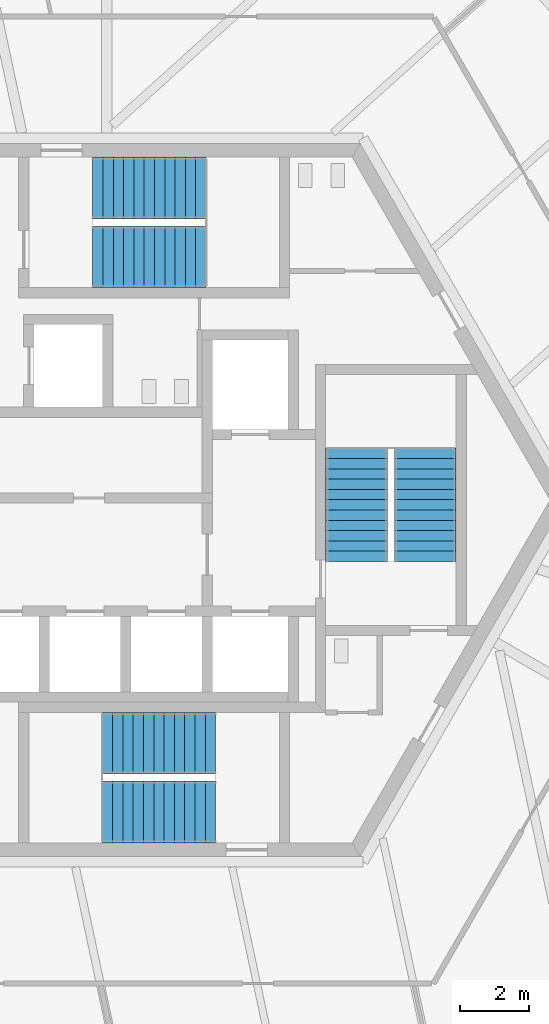
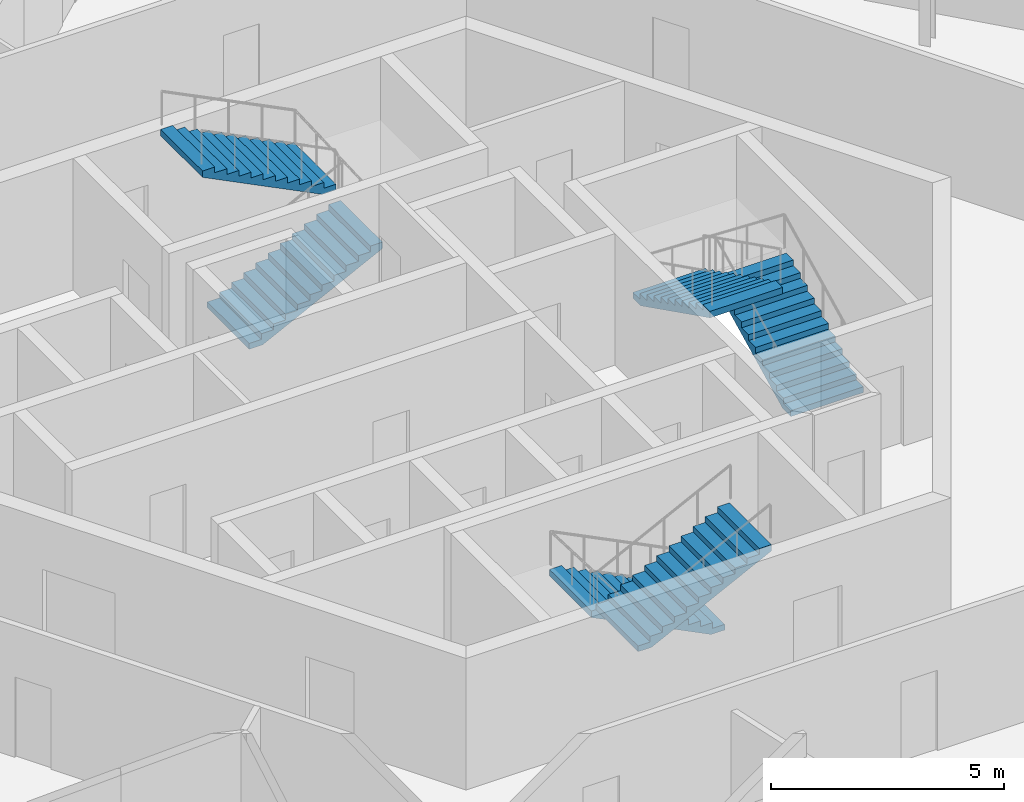
# One storey, part 13 of 17: 6 stair flights, 3 elements without a shape of their own.
"""IFC4 building model written with IfcOpenShell, lengths in metres."""

from ifc_helpers import new_model, si_unit, direction, frame, origin, place, context, subcontext, project, spatial, polyline, outline, extrude, source, transform, mapped, material, type_object, element, aggregate, save


model = new_model("IFC4")

# Units and contexts
model_context = context("Model", 3, precision=1e-05, world=origin(), true_north=direction((0.0, 1.0)))
body_context = subcontext(model_context, "Body", "Model", "MODEL_VIEW")
ifc_project = project(units=[si_unit("LENGTHUNIT", "METRE"), si_unit("AREAUNIT", "SQUARE_METRE"), si_unit("VOLUMEUNIT", "CUBIC_METRE"), si_unit("PLANEANGLEUNIT", "RADIAN"), si_unit("MASSUNIT", "GRAM", prefix="KILO")], contexts=[model_context])

# Site, building, storey
site_placement = place(None, origin())
site = spatial("IfcSite", under=ifc_project, at=site_placement, CompositionType="ELEMENT")
building_placement = place(site_placement, origin())
building = spatial("IfcBuilding", under=site, at=building_placement, Name="Triune Harvest Tower", CompositionType="ELEMENT")
storey_placement = place(building_placement, frame((0.0, 0.0, 273.89990234375)))
storey = spatial("IfcBuildingStorey", under=building, at=storey_placement, Name="L72", CompositionType="ELEMENT", Elevation=273.89990234375)

# Stair, stair flights
ifc_material_1 = material(Name="Concrete 40 MPa", Category="concrete")
stair_type = type_object("IfcStairType", Name="Exit stair 1800 half turn", PredefinedType="HALF_TURN_STAIR", material=ifc_material_1)
stair_1_placement = place(storey_placement, origin())
stair_1 = element("IfcStair", 1, at=stair_1_placement, inside=storey, type_object=stair_type, Name="Exit stair north", PredefinedType="HALF_TURN_STAIR")
ifc_material_2 = material(Name="Concrete 40 MPa", Category="concrete")
stair_flight_type = type_object("IfcStairFlightType", Name="Stair flight 1800", PredefinedType="STRAIGHT", material=ifc_material_2)
shared_shape = source(origin(), body_context, "Body", "SweptSolid", [
    extrude(outline(polyline([(0.0, 0.0), (0.0, 0.14990234375), (0.300048828125, 0.14990234375), (0.300048828125, 0.300048828125), (0.60009765625, 0.300048828125), (0.60009765625, 0.449951171875), (0.89990234375, 0.449951171875), (0.89990234375, 0.60009765625), (1.199951171875, 0.60009765625), (1.199951171875, 0.75), (1.5, 0.75), (1.5, 0.89990234375), (1.800048828125, 0.89990234375), (1.800048828125, 1.050048828125), (2.10009765625, 1.050048828125), (2.10009765625, 1.199951171875), (2.39990234375, 1.199951171875), (2.39990234375, 1.35009765625), (2.699951171875, 1.35009765625), (2.699951171875, 1.5), (3.0, 1.5), (3.0, 1.64990234375), (3.300048828125, 1.64990234375), (3.300048828125, 1.800048828125), (3.300048828125, 1.482421875), (0.335205078125, 0.0), (0.0, 0.0)])), frame((0.0, 0.89990234375, 0.0), z_axis=(0.0, -1.0, 0.0), x_axis=(1.0, 0.0, 0.0)), (0.0, 0.0, 1.0), 1.800048828125),
])
stair_flight_1_placement = place(storey_placement, frame((-1.7900390625, 7.090087890625, 0.0), z_axis=(0.0, 0.0, 1.0), x_axis=(1.0, 0.0, 0.0)))
stair_flight_1 = element("IfcStairFlight", 2, at=stair_flight_1_placement, type_object=stair_flight_type, Name="ST-1 flight 1", NumberOfRisers=12, NumberOfTreads=11, PredefinedType="STRAIGHT", RiserHeight=0.15, TreadLength=0.3, context=body_context, shape_type="MappedRepresentation", body=[
    mapped(shared_shape, transform((0.0, 0.0, 0.0), scale=1.0)),
])
stair_flight_2_placement = place(storey_placement, frame((1.510009765625, 9.090087890625, 1.800048828125), z_axis=(0.0, 0.0, 1.0), x_axis=(-1.0, 0.0, 0.0)))
stair_flight_2 = element("IfcStairFlight", 3, at=stair_flight_2_placement, type_object=stair_flight_type, Name="ST-1 flight 2", NumberOfRisers=12, NumberOfTreads=11, PredefinedType="STRAIGHT", RiserHeight=0.15, TreadLength=0.3, context=body_context, shape_type="MappedRepresentation", body=[
    mapped(shared_shape, transform((0.0, 0.0, 0.0), scale=1.0)),
])
aggregate(stair_1, [stair_flight_1, stair_flight_2])

stair_2_placement = place(storey_placement, origin())
stair_2 = element("IfcStair", 4, at=stair_2_placement, inside=storey, type_object=stair_type, Name="Exit stair south", PredefinedType="HALF_TURN_STAIR")
stair_flight_3_placement = place(storey_placement, frame((1.7900390625, -7.090087890625, 0.0), z_axis=(0.0, 0.0, 1.0), x_axis=(-1.0, 0.0, 0.0)))
stair_flight_3 = element("IfcStairFlight", 5, at=stair_flight_3_placement, type_object=stair_flight_type, Name="ST-2 flight 1", NumberOfRisers=12, NumberOfTreads=11, PredefinedType="STRAIGHT", RiserHeight=0.15, TreadLength=0.3, context=body_context, shape_type="MappedRepresentation", body=[
    mapped(shared_shape, transform((0.0, 0.0, 0.0), scale=1.0)),
])
stair_flight_4_placement = place(storey_placement, frame((-1.510009765625, -9.090087890625, 1.800048828125), z_axis=(0.0, 0.0, 1.0), x_axis=(1.0, 0.0, 0.0)))
stair_flight_4 = element("IfcStairFlight", 6, at=stair_flight_4_placement, type_object=stair_flight_type, Name="ST-2 flight 2", NumberOfRisers=12, NumberOfTreads=11, PredefinedType="STRAIGHT", RiserHeight=0.15, TreadLength=0.3, context=body_context, shape_type="MappedRepresentation", body=[
    mapped(shared_shape, transform((0.0, 0.0, 0.0), scale=1.0)),
])
aggregate(stair_2, [stair_flight_3, stair_flight_4])

stair_3_placement = place(storey_placement, origin())
stair_3 = element("IfcStair", 7, at=stair_3_placement, inside=storey, type_object=stair_type, Name="Exit stair east", PredefinedType="HALF_TURN_STAIR")
stair_flight_5_placement = place(storey_placement, frame((7.89990234375, -1.7900390625, 0.0), z_axis=(0.0, 0.0, 1.0), x_axis=(0.0, 1.0, 0.0)))
stair_flight_5 = element("IfcStairFlight", 8, at=stair_flight_5_placement, type_object=stair_flight_type, Name="ST-3 flight 1", NumberOfRisers=12, NumberOfTreads=11, PredefinedType="STRAIGHT", RiserHeight=0.15, TreadLength=0.3, context=body_context, shape_type="MappedRepresentation", body=[
    mapped(shared_shape, transform((0.0, 0.0, 0.0), scale=1.0)),
])
stair_flight_6_placement = place(storey_placement, frame((5.89990234375, 1.510009765625, 1.800048828125), z_axis=(0.0, 0.0, 1.0), x_axis=(0.0, -1.0, 0.0)))
stair_flight_6 = element("IfcStairFlight", 9, at=stair_flight_6_placement, type_object=stair_flight_type, Name="ST-3 flight 2", NumberOfRisers=12, NumberOfTreads=11, PredefinedType="STRAIGHT", RiserHeight=0.15, TreadLength=0.3, context=body_context, shape_type="MappedRepresentation", body=[
    mapped(shared_shape, transform((0.0, 0.0, 0.0), scale=1.0)),
])
aggregate(stair_3, [stair_flight_5, stair_flight_6])

save(model, "model.ifc")
